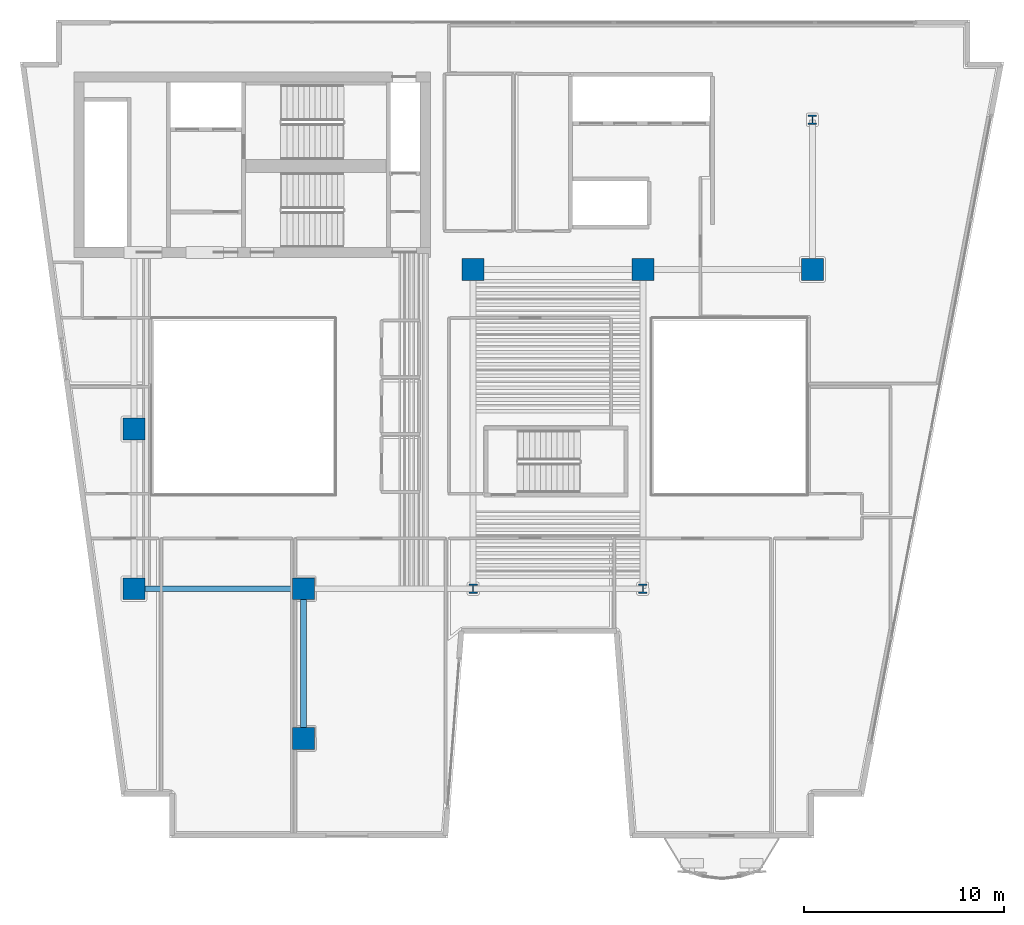
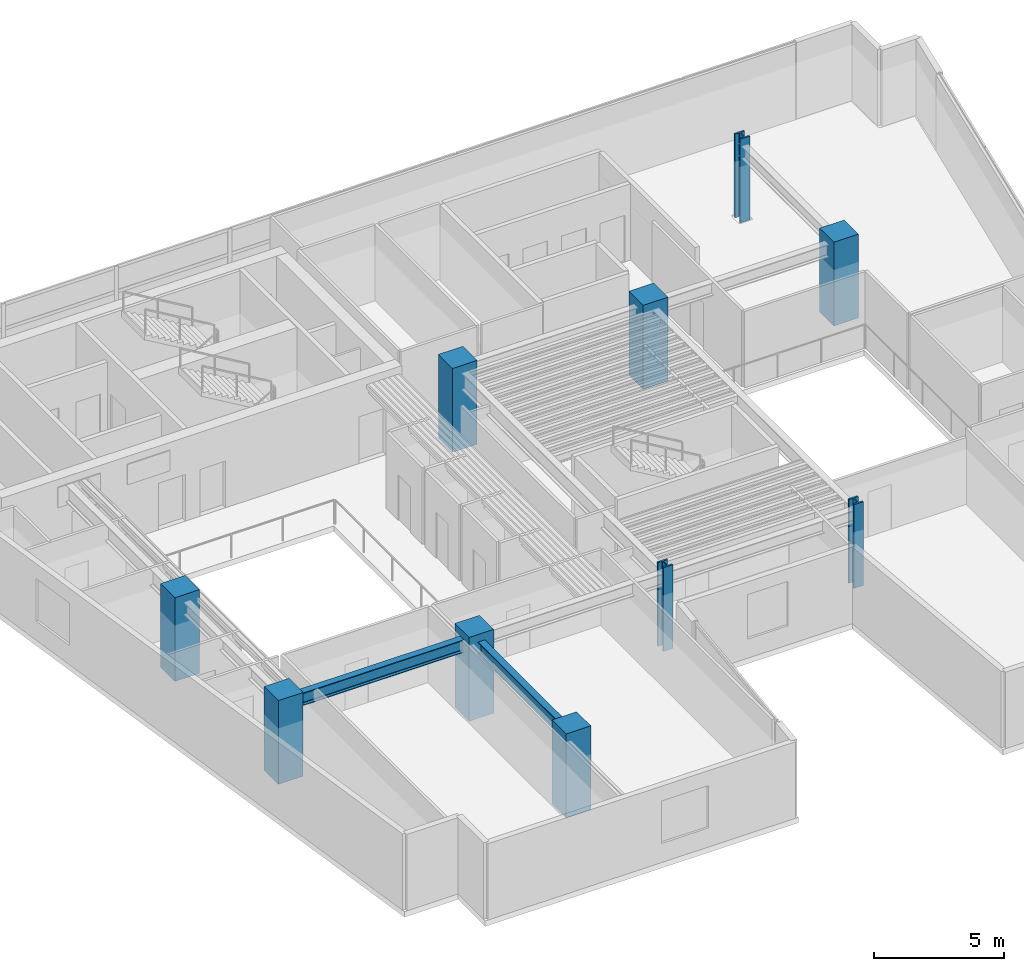
# One storey, part 1 of 14: 10 columns, 2 beams.
"""IFC4 building model written with IfcOpenShell, lengths in metres."""

from ifc_helpers import new_model, si_unit, direction, frame, origin, origin_2d, place, context, subcontext, project, spatial, rectangle, i_section, extrude, material, material_profile, profile_set, type_object, element, save


model = new_model("IFC4")

# Units and contexts
model_context = context("Model", 3, precision=1e-05, world=origin(), true_north=direction((0.0, 1.0)))
body_context = subcontext(model_context, "Body", "Model", "MODEL_VIEW")
ifc_project = project(units=[si_unit("LENGTHUNIT", "METRE"), si_unit("AREAUNIT", "SQUARE_METRE"), si_unit("VOLUMEUNIT", "CUBIC_METRE"), si_unit("PLANEANGLEUNIT", "RADIAN"), si_unit("MASSUNIT", "GRAM", prefix="KILO")], contexts=[model_context])

# Site, building, storey
site_placement = place(None, origin())
site = spatial("IfcSite", under=ifc_project, at=site_placement, CompositionType="ELEMENT")
building_placement = place(site_placement, origin())
building = spatial("IfcBuilding", under=site, at=building_placement, Name="Caeloran Harvest Quay", CompositionType="ELEMENT")
storey_placement = place(building_placement, frame((0.0, 0.0, 174.60009765625)))
storey = spatial("IfcBuildingStorey", under=building, at=storey_placement, Name="L41", CompositionType="ELEMENT", Elevation=174.60009765625)

# Columns
ifc_material_1 = material(Name="Concrete C70/85", Category="concrete")
ifc_material_profile_1 = material_profile(ifc_material_1, rectangle(XDim=1.10009765625, YDim=1.10009765625, at=origin_2d()), Name="RC 1100x1100")
ifc_profile_set_1 = profile_set([ifc_material_profile_1], Name="Concrete C70/85")
column_type_1 = type_object("IfcColumnType", Name="COL-MC-3-RC_1100x1100", PredefinedType="COLUMN", material=ifc_profile_set_1)
for number, where, z_axis, x_axis, name in (
    (1, (8.5, 15.0, 0.0), (0.0, 0.0, 1.0), (1.0, 0.0, 0.0), "L41 Structural Column (8.5, 15.0)"),
    (2, (8.5, 23.0, 0.0), (0.0, 0.0, 1.0), (1.0, 0.0, 0.0), "L41 Structural Column (8.5, 23.0)"),
    (3, (17.0, 7.5, 0.0), (0.0, 0.0, 1.0), (1.0, 0.0, 0.0), "L41 Structural Column (17.0, 7.5)"),
    (4, (17.0, 15.0, 0.0), (0.0, 0.0, 1.0), (1.0, 0.0, 0.0), "L41 Structural Column (17.0, 15.0)"),
    (5, (25.5, 31.0, 0.0), (0.0, 0.0, 1.0), (1.0, 0.0, 0.0), "L41 Structural Column (25.5, 31.0)"),
    (6, (34.0, 31.0, 0.0), (0.0, 0.0, 1.0), (1.0, 0.0, 0.0), "L41 Structural Column (34.0, 31.0)"),
    (7, (42.5, 31.0, 0.0), (0.0, 0.0, 1.0), (1.0, 0.0, 0.0), "L41 Structural Column (42.5, 31.0)"),
):
    element("IfcColumn", number, at=place(storey_placement, frame(where, z_axis=z_axis, x_axis=x_axis)), inside=storey, type_object=column_type_1, Name=name, PredefinedType="COLUMN", context=body_context, shape_type="SweptSolid", body=[
        extrude(rectangle(XDim=1.10009765625, YDim=1.10009765625, at=origin_2d()), origin(), (0.0, 0.0, 1.0), 3.949951171875),
    ])
ifc_material_2 = material(Name="Steel HISTAR 460", Category="steel")
ifc_material_profile_2 = material_profile(ifc_material_2, i_section(OverallWidth=0.424072265625, OverallDepth=0.47412109375, WebThickness=0.047607421875, FlangeThickness=0.076904296875, FilletRadius=0.014892578125, at=origin_2d()), Name="HD 400x634")
ifc_profile_set_2 = profile_set([ifc_material_profile_2], Name="Steel HISTAR 460")
column_type_2 = type_object("IfcColumnType", Name="COL-SC-3-HD_400x634", PredefinedType="COLUMN", material=ifc_profile_set_2)
for number, where, z_axis, x_axis, name in (
    (8, (25.5, 15.0, 0.0), (0.0, 0.0, 1.0), (1.0, 0.0, 0.0), "L41 Structural Column (25.5, 15.0)"),
    (9, (34.0, 15.0, 0.0), (0.0, 0.0, 1.0), (1.0, 0.0, 0.0), "L41 Structural Column (34.0, 15.0)"),
    (10, (42.5, 38.5, 0.0), (0.0, 0.0, 1.0), (1.0, 0.0, 0.0), "L41 Structural Column (42.5, 38.5)"),
):
    element("IfcColumn", number, at=place(storey_placement, frame(where, z_axis=z_axis, x_axis=x_axis)), inside=storey, type_object=column_type_2, Name=name, PredefinedType="COLUMN", context=body_context, shape_type="SweptSolid", body=[
        extrude(i_section(OverallWidth=0.424072265625, OverallDepth=0.47412109375, WebThickness=0.047607421875, FlangeThickness=0.076904296875, FilletRadius=0.014892578125, at=origin_2d()), origin(), (0.0, 0.0, 1.0), 3.949951171875),
    ])

# Beams
ifc_material_3 = material(Name="Steel S355J2", Category="steel")
ifc_material_profile_3 = material_profile(ifc_material_3, i_section(OverallWidth=0.300048828125, OverallDepth=0.60009765625, WebThickness=0.015380859375, FlangeThickness=0.030029296875, FilletRadius=0.027099609375, at=origin_2d()), Name="HE 600 B")
ifc_profile_set_3 = profile_set([ifc_material_profile_3], Name="Steel S355J2")
beam_type = type_object("IfcBeamType", Name="BM-PG-3-HE_600_B", PredefinedType="BEAM", material=ifc_profile_set_3)
beam_1_placement = place(storey_placement, frame((8.5, 15.0, 3.2998046875), z_axis=(1.0, 0.0, 0.0), x_axis=(0.0, 1.0, 0.0)))
element("IfcBeam", 11, at=beam_1_placement, inside=storey, type_object=beam_type, Name="L41 Primary East-West Girder Y=15.0", PredefinedType="BEAM", context=body_context, shape_type="SweptSolid", body=[
    extrude(i_section(OverallWidth=0.300048828125, OverallDepth=0.60009765625, WebThickness=0.015380859375, FlangeThickness=0.030029296875, FilletRadius=0.027099609375, at=origin_2d()), origin(), (0.0, 0.0, 1.0), 8.5),
])
beam_2_placement = place(storey_placement, frame((17.0, 7.5, 3.2998046875), z_axis=(0.0, 1.0, 0.0), x_axis=(-1.0, 0.0, 0.0)))
element("IfcBeam", 12, at=beam_2_placement, inside=storey, type_object=beam_type, Name="L41 Primary North-South Girder X=17.0", PredefinedType="BEAM", context=body_context, shape_type="SweptSolid", body=[
    extrude(i_section(OverallWidth=0.300048828125, OverallDepth=0.60009765625, WebThickness=0.015380859375, FlangeThickness=0.030029296875, FilletRadius=0.027099609375, at=origin_2d()), origin(), (0.0, 0.0, 1.0), 7.5),
])

save(model, "model.ifc")
